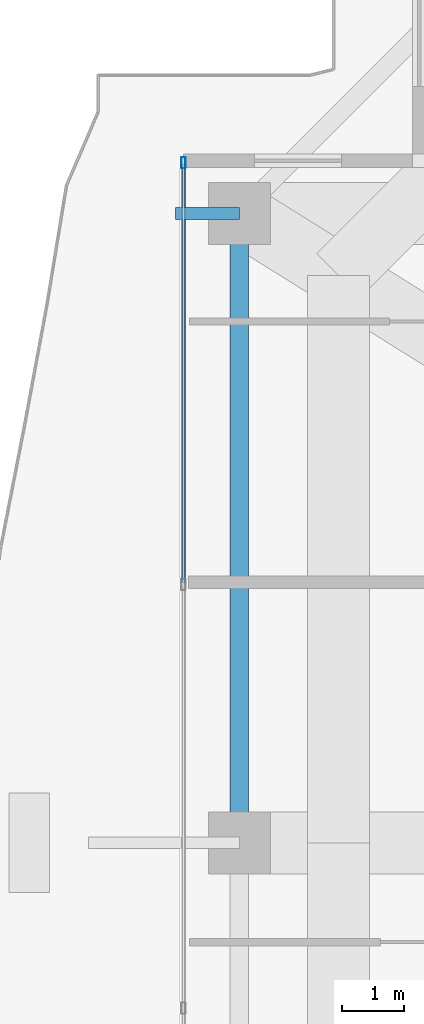
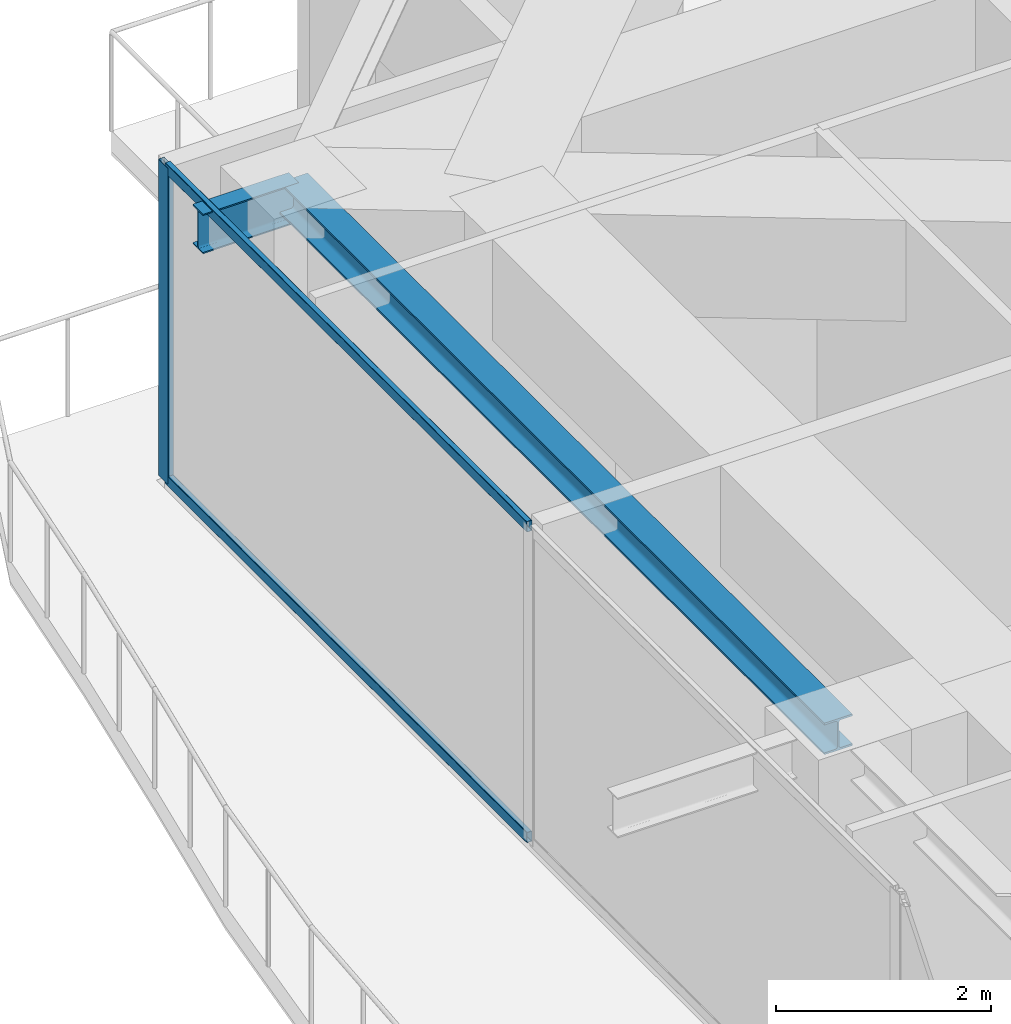
# One storey, part 20 of 40: 3 members, 2 beams, 1 element without a shape of its own.
"""IFC4 building model written with IfcOpenShell, lengths in metres."""

from ifc_helpers import new_model, si_unit, direction, frame, origin, origin_2d, place, context, subcontext, project, spatial, hollow_rectangle, i_section, extrude, source, transform, mapped, material, layer, layer_set, material_profile, profile_set, type_object, element, aggregate, save


model = new_model("IFC4")

# Units and contexts
model_context = context("Model", 3, precision=1e-05, world=origin(), true_north=direction((0.0, 1.0)))
body_context = subcontext(model_context, "Body", "Model", "MODEL_VIEW")
ifc_project = project(units=[si_unit("LENGTHUNIT", "METRE"), si_unit("AREAUNIT", "SQUARE_METRE"), si_unit("VOLUMEUNIT", "CUBIC_METRE"), si_unit("PLANEANGLEUNIT", "RADIAN"), si_unit("MASSUNIT", "GRAM", prefix="KILO")], contexts=[model_context])

# Site, building, storey
site_placement = place(None, origin())
site = spatial("IfcSite", under=ifc_project, at=site_placement, CompositionType="ELEMENT")
building_placement = place(site_placement, origin())
building = spatial("IfcBuilding", under=site, at=building_placement, Name="Serunith Strait Residences", CompositionType="ELEMENT")
storey_placement = place(building_placement, frame((0.0, 0.0, 333.949951171875)))
storey = spatial("IfcBuildingStorey", under=building, at=storey_placement, Name="L83", CompositionType="ELEMENT", Elevation=333.949951171875)

# Beams
ifc_material_1 = material(Name="Steel S355J2", Category="steel")
ifc_material_profile_1 = material_profile(ifc_material_1, i_section(OverallWidth=0.300048828125, OverallDepth=0.360107421875, WebThickness=0.012451171875, FlangeThickness=0.0224609375, FilletRadius=0.027099609375, at=origin_2d()), Name="HEB 360")
ifc_profile_set_1 = profile_set([ifc_material_profile_1], Name="Steel S355J2")
beam_type_1 = type_object("IfcBeamType", Name="BM-HEB360", PredefinedType="BEAM", material=ifc_profile_set_1)
shared_shape_1 = source(origin(), body_context, "Body", "SweptSolid", [
    extrude(i_section(OverallWidth=0.300048828125, OverallDepth=0.360107421875, WebThickness=0.012451171875, FlangeThickness=0.0224609375, FilletRadius=0.027099609375, at=origin_2d()), origin(), (0.0, 0.0, 1.0), 10.150146484375),
])
beam_1_placement = place(storey_placement, frame((10.10009765625, 39.550048828125, 3.427001953125), z_axis=(0.0, -1.0, 0.0), x_axis=(1.0, 0.0, 0.0)))
element("IfcBeam", 1, at=beam_1_placement, inside=storey, type_object=beam_type_1, Name="L83 Perimeter Ring Beam 13", PredefinedType="BEAM", context=body_context, shape_type="MappedRepresentation", body=[
    mapped(shared_shape_1, transform((0.0, 0.0, 0.0), scale=1.0)),
])
ifc_material_profile_2 = material_profile(ifc_material_1, i_section(OverallWidth=0.18994140625, OverallDepth=0.449951171875, WebThickness=0.009521484375, FlangeThickness=0.0146484375, FilletRadius=0.02099609375, at=origin_2d()), Name="IPE 450")
ifc_profile_set_2 = profile_set([ifc_material_profile_2], Name="Steel S355J2")
beam_type_2 = type_object("IfcBeamType", Name="BM-IPE450", PredefinedType="JOIST", material=ifc_profile_set_2)
shared_shape_2 = source(origin(), body_context, "Body", "SweptSolid", [
    extrude(i_section(OverallWidth=0.18994140625, OverallDepth=0.449951171875, WebThickness=0.009521484375, FlangeThickness=0.0146484375, FilletRadius=0.02099609375, at=origin_2d()), origin(), (0.0, 0.0, 1.0), 1.031005859375),
])
beam_2_placement = place(storey_placement, frame((10.10009765625, 39.550048828125, 3.382080078125), z_axis=(-1.0, 0.0, 0.0), x_axis=(0.0, -1.0, 0.0)))
element("IfcBeam", 2, at=beam_2_placement, inside=storey, type_object=beam_type_2, Name="L84 Cantilevered Balcony Rib TC-W4", PredefinedType="JOIST", context=body_context, shape_type="MappedRepresentation", body=[
    mapped(shared_shape_2, transform((0.0, 0.0, 0.0), scale=1.0)),
])

# Curtain wall, members
ifc_material_2 = material(Name="Brushed Stainless-Silver Aluminium", Category="aluminium")
ifc_layer = layer(ifc_material_2, 0.199951171875, Name="Brushed Stainless-Silver Aluminium")
ifc_layer_set = layer_set([ifc_layer], Name="Brushed Stainless-Silver Aluminium")
curtain_wall_type = type_object("IfcCurtainWallType", Name="CW-SYS5", PredefinedType="NOTDEFINED", material=ifc_layer_set)
curtain_wall_placement = place(storey_placement, origin())
curtain_wall = element("IfcCurtainWall", 3, at=curtain_wall_placement, inside=storey, type_object=curtain_wall_type, Name="L83 W Unitised Fritted Curtain Wall", PredefinedType="NOTDEFINED")
ifc_material_profile_3 = material_profile(ifc_material_2, hollow_rectangle(XDim=0.06005859375, YDim=0.1201171875, WallThickness=0.00341796875, InnerFilletRadius=0.00537109375, OuterFilletRadius=0.0087890625, at=origin_2d()), Name="ALU 120x60x3.5")
ifc_profile_set_3 = profile_set([ifc_material_profile_3], Name="Brushed Stainless-Silver Aluminium")
member_type_1 = type_object("IfcMemberType", Name="CW-SYS5-TRAN", PredefinedType="USERDEFINED", material=ifc_profile_set_3)
shared_shape_3 = source(origin(), body_context, "Body", "SweptSolid", [
    extrude(hollow_rectangle(XDim=0.06005859375, YDim=0.1201171875, WallThickness=0.00341796875, InnerFilletRadius=0.00537109375, OuterFilletRadius=0.0087890625, at=origin_2d()), origin(), (0.0, 0.0, 1.0), 6.73583984375),
])
member_1_placement = place(storey_placement, frame((9.199951171875, 40.3349609375, 0.030029296875), z_axis=(0.0, -1.0, 0.0), x_axis=(1.0, 0.0, 0.0)))
member_1 = element("IfcMember", 4, at=member_1_placement, type_object=member_type_1, Name="CW-5 transom 1.1", ObjectType="TRANSOM", PredefinedType="USERDEFINED", context=body_context, shape_type="MappedRepresentation", body=[
    mapped(shared_shape_3, transform((0.0, 0.0, 0.0), scale=1.0)),
])
member_2_placement = place(storey_placement, frame((9.199951171875, 40.3349609375, 3.56494140625), z_axis=(0.0, -1.0, 0.0), x_axis=(1.0, 0.0, 0.0)))
member_2 = element("IfcMember", 5, at=member_2_placement, type_object=member_type_1, Name="CW-5 transom 1.2", ObjectType="TRANSOM", PredefinedType="USERDEFINED", context=body_context, shape_type="MappedRepresentation", body=[
    mapped(shared_shape_3, transform((0.0, 0.0, 0.0), scale=1.0)),
])
ifc_material_profile_4 = material_profile(ifc_material_2, hollow_rectangle(XDim=0.06494140625, YDim=0.179931640625, WallThickness=0.00341796875, InnerFilletRadius=0.00537109375, OuterFilletRadius=0.0087890625, at=origin_2d()), Name="ALU 180x65x3.5")
ifc_profile_set_4 = profile_set([ifc_material_profile_4], Name="Brushed Stainless-Silver Aluminium")
member_type_2 = type_object("IfcMemberType", Name="CW-SYS5-MULL", PredefinedType="MULLION", material=ifc_profile_set_4)
shared_shape_4 = source(origin(), body_context, "Body", "SweptSolid", [
    extrude(hollow_rectangle(XDim=0.06494140625, YDim=0.179931640625, WallThickness=0.00341796875, InnerFilletRadius=0.00537109375, OuterFilletRadius=0.0087890625, at=origin_2d()), origin(), (0.0, 0.0, 1.0), 3.594970703125),
])
member_3_placement = place(storey_placement, frame((9.199951171875, 40.367431640625, 0.0), z_axis=(0.0, 0.0, 1.0), x_axis=(1.0, 0.0, 0.0)))
member_3 = element("IfcMember", 6, at=member_3_placement, type_object=member_type_2, Name="CW-5 mullion 1", PredefinedType="MULLION", context=body_context, shape_type="MappedRepresentation", body=[
    mapped(shared_shape_4, transform((0.0, 0.0, 0.0), scale=1.0)),
])
aggregate(curtain_wall, [member_3, member_1, member_2])

save(model, "model.ifc")
